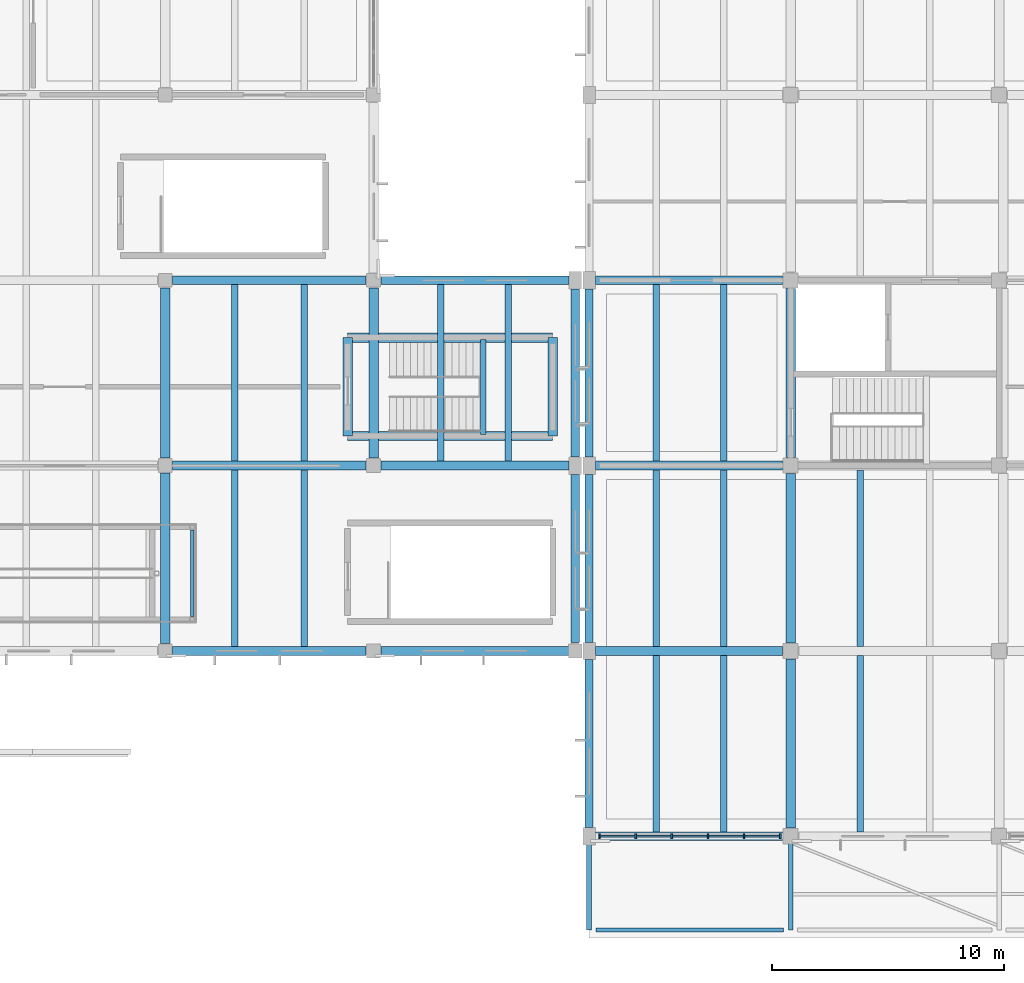
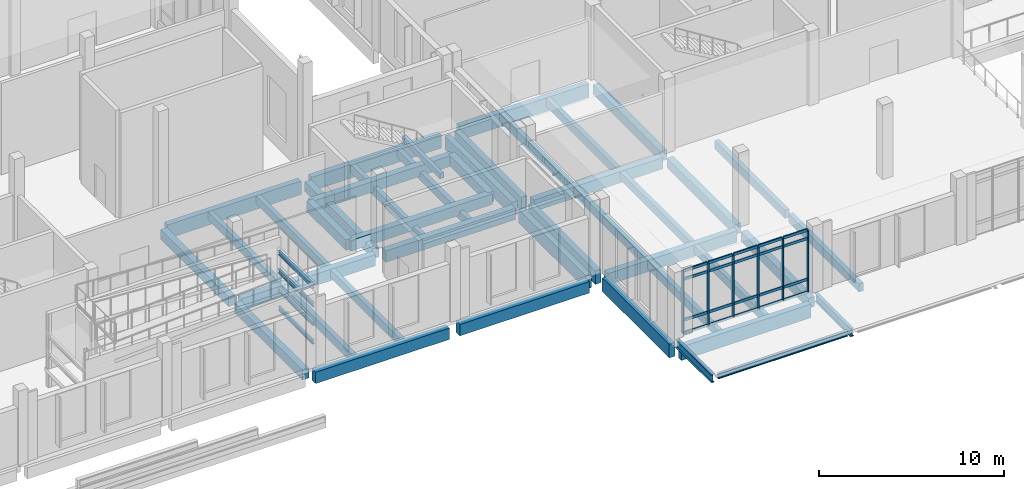
# One storey, part 28 of 110: 47 beams, 26 members, 1 element without a shape of its own.
"""IFC4 building model written with IfcOpenShell, lengths in metres."""

from ifc_helpers import new_model, si_unit, direction, frame, origin, origin_2d, place, context, subcontext, project, spatial, rectangle, i_section, extrude, material, layer, layer_set, material_profile, profile_set, type_object, element, aggregate, save


model = new_model("IFC4")

# Units and contexts
model_context = context("Model", 3, precision=1e-05, world=origin(), true_north=direction((0.0, 1.0)))
body_context = subcontext(model_context, "Body", "Model", "MODEL_VIEW")
ifc_project = project(units=[si_unit("LENGTHUNIT", "METRE"), si_unit("AREAUNIT", "SQUARE_METRE"), si_unit("VOLUMEUNIT", "CUBIC_METRE"), si_unit("PLANEANGLEUNIT", "RADIAN"), si_unit("MASSUNIT", "GRAM", prefix="KILO")], contexts=[model_context])

# Site, building, storey
site_placement = place(None, origin())
site = spatial("IfcSite", under=ifc_project, at=site_placement, CompositionType="ELEMENT")
building_placement = place(site_placement, origin())
building = spatial("IfcBuilding", under=site, at=building_placement, Name="Zacnel Wholesale Market", CompositionType="ELEMENT")
storey_placement = place(building_placement, frame((0.0, 0.0, 6.300048828125)))
storey = spatial("IfcBuildingStorey", under=building, at=storey_placement, Name="L02", CompositionType="ELEMENT", Elevation=6.300048828125)

# Beams
ifc_material_1 = material(Name="Precast concrete C45/55", Category="concrete")
ifc_material_profile_1 = material_profile(ifc_material_1, rectangle(XDim=0.280029296875, YDim=0.550048828125, at=origin_2d()), Name="DT RIB 280x550")
ifc_profile_set_1 = profile_set([ifc_material_profile_1], Name="Precast concrete C45/55")
beam_type_1 = type_object("IfcBeamType", Name="BM-DT550", PredefinedType="JOIST", material=ifc_profile_set_1)
for number, where, z_axis, x_axis, name in (
    (1, (147.199951171875, 0.175048828125, -0.574951171875), (0.0, 1.0, 0.0), (-1.0, 0.0, 0.0), "Precast secondary joist L02-0011"),
    (2, (150.10009765625, 0.175048828125, -0.574951171875), (0.0, 1.0, 0.0), (-1.0, 0.0, 0.0), "Precast secondary joist L02-0012"),
    (3, (156.0, 0.175048828125, -0.574951171875), (0.0, 1.0, 0.0), (-1.0, 0.0, 0.0), "Precast secondary joist L02-0013"),
):
    element("IfcBeam", number, at=place(storey_placement, frame(where, z_axis=z_axis, x_axis=x_axis)), inside=storey, type_object=beam_type_1, Name=name, PredefinedType="JOIST", context=body_context, shape_type="SweptSolid", body=[
        extrude(rectangle(XDim=0.280029296875, YDim=0.550048828125, at=origin_2d()), origin(), (0.0, 0.0, 1.0), 7.625),
    ])
for number, where, z_axis, x_axis, name in (
    (4, (129.0, 8.199951171875, -0.695068359375), (0.0, 1.0, 0.0), (-1.0, 0.0, 0.0), "Precast secondary joist L02-0037"),
    (5, (132.0, 8.199951171875, -0.695068359375), (0.0, 1.0, 0.0), (-1.0, 0.0, 0.0), "Precast secondary joist L02-0038"),
    (6, (147.199951171875, 8.199951171875, -0.574951171875), (0.0, 1.0, 0.0), (-1.0, 0.0, 0.0), "Precast secondary joist L02-0041"),
    (7, (150.10009765625, 8.199951171875, -0.574951171875), (0.0, 1.0, 0.0), (-1.0, 0.0, 0.0), "Precast secondary joist L02-0042"),
    (8, (156.0, 8.199951171875, -0.574951171875), (0.0, 1.0, 0.0), (-1.0, 0.0, 0.0), "Precast secondary joist L02-0043"),
):
    element("IfcBeam", number, at=place(storey_placement, frame(where, z_axis=z_axis, x_axis=x_axis)), inside=storey, type_object=beam_type_1, Name=name, PredefinedType="JOIST", context=body_context, shape_type="SweptSolid", body=[
        extrude(rectangle(XDim=0.280029296875, YDim=0.550048828125, at=origin_2d()), origin(), (0.0, 0.0, 1.0), 7.60009765625),
    ])
for number, where, z_axis, x_axis, name in (
    (9, (129.0, 16.199951171875, -0.695068359375), (0.0, 1.0, 0.0), (-1.0, 0.0, 0.0), "Precast secondary joist L02-0069"),
    (10, (132.0, 16.199951171875, -0.695068359375), (0.0, 1.0, 0.0), (-1.0, 0.0, 0.0), "Precast secondary joist L02-0070"),
    (11, (137.89990234375, 16.199951171875, -0.695068359375), (0.0, 1.0, 0.0), (-1.0, 0.0, 0.0), "Precast secondary joist L02-0071"),
    (12, (140.800048828125, 16.199951171875, -0.695068359375), (0.0, 1.0, 0.0), (-1.0, 0.0, 0.0), "Precast secondary joist L02-0072"),
    (13, (147.199951171875, 16.199951171875, -0.574951171875), (0.0, 1.0, 0.0), (-1.0, 0.0, 0.0), "Precast secondary joist L02-0073"),
    (14, (150.10009765625, 16.199951171875, -0.574951171875), (0.0, 1.0, 0.0), (-1.0, 0.0, 0.0), "Precast secondary joist L02-0074"),
):
    element("IfcBeam", number, at=place(storey_placement, frame(where, z_axis=z_axis, x_axis=x_axis)), inside=storey, type_object=beam_type_1, Name=name, PredefinedType="JOIST", context=body_context, shape_type="SweptSolid", body=[
        extrude(rectangle(XDim=0.280029296875, YDim=0.550048828125, at=origin_2d()), origin(), (0.0, 0.0, 1.0), 7.625),
    ])
ifc_material_2 = material(Name="Precast concrete C45/55", Category="concrete")
ifc_material_profile_2 = material_profile(ifc_material_2, rectangle(XDim=0.25, YDim=0.35009765625, at=origin_2d()), Name="LN 250x350")
ifc_profile_set_2 = profile_set([ifc_material_profile_2], Name="Precast concrete C45/55")
beam_type_2 = type_object("IfcBeamType", Name="BM-LN350", PredefinedType="LINTEL", material=ifc_profile_set_2)
beam_1_placement = place(storey_placement, frame((139.72998046875, 17.35009765625, 2.074951171875), z_axis=(0.0, 1.0, 0.0), x_axis=(-1.0, 0.0, 0.0)))
element("IfcBeam", 15, at=beam_1_placement, inside=storey, type_object=beam_type_2, Name="Stair ST-25 half-landing bearing beam", PredefinedType="LINTEL", context=body_context, shape_type="SweptSolid", body=[
    extrude(rectangle(XDim=0.25, YDim=0.35009765625, at=origin_2d()), origin(), (0.0, 0.0, 1.0), 4.099853515625),
])
ifc_material_3 = material(Name="Precast concrete C45/55", Category="concrete")
ifc_material_profile_3 = material_profile(ifc_material_3, rectangle(XDim=0.39990234375, YDim=0.64990234375, at=origin_2d()), Name="PG 400x650")
ifc_profile_set_3 = profile_set([ifc_material_profile_3], Name="Precast concrete C45/55")
beam_type_3 = type_object("IfcBeamType", Name="BM-PG650", PredefinedType="BEAM", material=ifc_profile_set_3)
for number, where, z_axis, x_axis, name in (
    (16, (126.0, 8.324951171875, -0.7451171875), (0.0, 1.0, 0.0), (-1.0, 0.0, 0.0), "Precast girder Y-0453"),
    (17, (126.0, 16.324951171875, -0.7451171875), (0.0, 1.0, 0.0), (-1.0, 0.0, 0.0), "Precast girder Y-0454"),
    (18, (135.0, 16.324951171875, -0.7451171875), (0.0, 1.0, 0.0), (-1.0, 0.0, 0.0), "Precast girder Y-0460"),
):
    element("IfcBeam", number, at=place(storey_placement, frame(where, z_axis=z_axis, x_axis=x_axis)), inside=storey, type_object=beam_type_3, Name=name, PredefinedType="BEAM", context=body_context, shape_type="SweptSolid", body=[
        extrude(rectangle(XDim=0.39990234375, YDim=0.64990234375, at=origin_2d()), origin(), (0.0, 0.0, 1.0), 7.35009765625),
    ])
for number, where, z_axis, x_axis, name in (
    (19, (153.0, 0.35009765625, -0.625), (0.0, 1.0, 0.0), (-1.0, 0.0, 0.0), "Precast girder Y-0481"),
    (20, (153.0, 8.35009765625, -0.625), (0.0, 1.0, 0.0), (-1.0, 0.0, 0.0), "Precast girder Y-0482"),
    (21, (153.0, 16.35009765625, -0.625), (0.0, 1.0, 0.0), (-1.0, 0.0, 0.0), "Precast girder Y-0483"),
):
    element("IfcBeam", number, at=place(storey_placement, frame(where, z_axis=z_axis, x_axis=x_axis)), inside=storey, type_object=beam_type_3, Name=name, PredefinedType="BEAM", context=body_context, shape_type="SweptSolid", body=[
        extrude(rectangle(XDim=0.39990234375, YDim=0.64990234375, at=origin_2d()), origin(), (0.0, 0.0, 1.0), 7.2998046875),
    ])
ifc_material_4 = material(Name="Precast concrete C45/55", Category="concrete")
ifc_material_profile_4 = material_profile(ifc_material_4, rectangle(XDim=0.39990234375, YDim=0.699951171875, at=origin_2d()), Name="PG 400x700")
ifc_profile_set_4 = profile_set([ifc_material_profile_4], Name="Precast concrete C45/55")
beam_type_4 = type_object("IfcBeamType", Name="BM-PG700", PredefinedType="BEAM", material=ifc_profile_set_4)
for number, where, z_axis, x_axis, name in (
    (22, (133.875, 17.27490234375, -0.35009765625), (1.0, 0.0, 0.0), (0.0, 1.0, 0.0), "Stair ST-25 shaft transfer beam S"),
    (23, (133.875, 21.52490234375, -0.35009765625), (1.0, 0.0, 0.0), (0.0, 1.0, 0.0), "Stair ST-25 shaft transfer beam N"),
):
    element("IfcBeam", number, at=place(storey_placement, frame(where, z_axis=z_axis, x_axis=x_axis)), inside=storey, type_object=beam_type_4, Name=name, PredefinedType="BEAM", context=body_context, shape_type="SweptSolid", body=[
        extrude(rectangle(XDim=0.39990234375, YDim=0.699951171875, at=origin_2d()), origin(), (0.0, 0.0, 1.0), 8.85009765625),
    ])
for number, where, z_axis, x_axis, name in (
    (24, (133.875, 17.27490234375, -0.35009765625), (0.0, 1.0, 0.0), (-1.0, 0.0, 0.0), "Stair ST-25 shaft transfer beam W"),
    (25, (142.72509765625, 17.27490234375, -0.35009765625), (0.0, 1.0, 0.0), (-1.0, 0.0, 0.0), "Stair ST-25 shaft transfer beam E"),
):
    element("IfcBeam", number, at=place(storey_placement, frame(where, z_axis=z_axis, x_axis=x_axis)), inside=storey, type_object=beam_type_4, Name=name, PredefinedType="BEAM", context=body_context, shape_type="SweptSolid", body=[
        extrude(rectangle(XDim=0.39990234375, YDim=0.699951171875, at=origin_2d()), origin(), (0.0, 0.0, 1.0), 4.25),
    ])
ifc_material_5 = material(Name="Precast concrete C45/55", Category="concrete")
ifc_material_profile_5 = material_profile(ifc_material_5, rectangle(XDim=0.39990234375, YDim=0.75, at=origin_2d()), Name="PG 400x750")
ifc_profile_set_5 = profile_set([ifc_material_profile_5], Name="Precast concrete C45/55")
beam_type_5 = type_object("IfcBeamType", Name="BM-PG750", PredefinedType="BEAM", material=ifc_profile_set_5)
beam_2_placement = place(storey_placement, frame((126.324951171875, 8.0, -0.795166015625), z_axis=(1.0, 0.0, 0.0), x_axis=(0.0, 1.0, 0.0)))
element("IfcBeam", 26, at=beam_2_placement, inside=storey, type_object=beam_type_5, Name="Precast girder X-0022", PredefinedType="BEAM", context=body_context, shape_type="SweptSolid", body=[
    extrude(rectangle(XDim=0.39990234375, YDim=0.75, at=origin_2d()), origin(), (0.0, 0.0, 1.0), 8.35009765625),
])
beam_3_placement = place(storey_placement, frame((135.324951171875, 8.0, -0.795166015625), z_axis=(1.0, 0.0, 0.0), x_axis=(0.0, 1.0, 0.0)))
element("IfcBeam", 27, at=beam_3_placement, inside=storey, type_object=beam_type_5, Name="Precast girder X-0023", PredefinedType="BEAM", context=body_context, shape_type="SweptSolid", body=[
    extrude(rectangle(XDim=0.39990234375, YDim=0.75, at=origin_2d()), origin(), (0.0, 0.0, 1.0), 8.10009765625),
])
beam_4_placement = place(storey_placement, frame((144.574951171875, 8.0, -0.675048828125), z_axis=(1.0, 0.0, 0.0), x_axis=(0.0, 1.0, 0.0)))
element("IfcBeam", 28, at=beam_4_placement, inside=storey, type_object=beam_type_5, Name="Precast girder X-0024", PredefinedType="BEAM", context=body_context, shape_type="SweptSolid", body=[
    extrude(rectangle(XDim=0.39990234375, YDim=0.75, at=origin_2d()), origin(), (0.0, 0.0, 1.0), 8.074951171875),
])
beam_5_placement = place(storey_placement, frame((126.324951171875, 16.0, -0.795166015625), z_axis=(1.0, 0.0, 0.0), x_axis=(0.0, 1.0, 0.0)))
element("IfcBeam", 29, at=beam_5_placement, inside=storey, type_object=beam_type_5, Name="Precast girder X-0039", PredefinedType="BEAM", context=body_context, shape_type="SweptSolid", body=[
    extrude(rectangle(XDim=0.39990234375, YDim=0.75, at=origin_2d()), origin(), (0.0, 0.0, 1.0), 8.35009765625),
])
beam_6_placement = place(storey_placement, frame((135.324951171875, 16.0, -0.795166015625), z_axis=(1.0, 0.0, 0.0), x_axis=(0.0, 1.0, 0.0)))
element("IfcBeam", 30, at=beam_6_placement, inside=storey, type_object=beam_type_5, Name="Precast girder X-0040", PredefinedType="BEAM", context=body_context, shape_type="SweptSolid", body=[
    extrude(rectangle(XDim=0.39990234375, YDim=0.75, at=origin_2d()), origin(), (0.0, 0.0, 1.0), 8.10009765625),
])
beam_7_placement = place(storey_placement, frame((144.574951171875, 16.0, -0.675048828125), z_axis=(1.0, 0.0, 0.0), x_axis=(0.0, 1.0, 0.0)))
element("IfcBeam", 31, at=beam_7_placement, inside=storey, type_object=beam_type_5, Name="Precast girder X-0041", PredefinedType="BEAM", context=body_context, shape_type="SweptSolid", body=[
    extrude(rectangle(XDim=0.39990234375, YDim=0.75, at=origin_2d()), origin(), (0.0, 0.0, 1.0), 8.074951171875),
])
ifc_material_6 = material(Name="Precast concrete C45/55", Category="concrete")
ifc_material_profile_6 = material_profile(ifc_material_6, rectangle(XDim=0.35009765625, YDim=0.89990234375, at=origin_2d()), Name="SP 350x900")
ifc_profile_set_6 = profile_set([ifc_material_profile_6], Name="Precast concrete C45/55")
beam_type_6 = type_object("IfcBeamType", Name="BM-SP900", PredefinedType="SPANDREL", material=ifc_profile_set_6)
beam_8_placement = place(storey_placement, frame((144.574951171875, 0.0, -0.75), z_axis=(1.0, 0.0, 0.0), x_axis=(0.0, 1.0, 0.0)))
element("IfcBeam", 32, at=beam_8_placement, inside=storey, type_object=beam_type_6, Name="Precast girder X-0006", PredefinedType="SPANDREL", context=body_context, shape_type="SweptSolid", body=[
    extrude(rectangle(XDim=0.35009765625, YDim=0.89990234375, at=origin_2d()), origin(), (0.0, 0.0, 1.0), 8.074951171875),
])
beam_9_placement = place(storey_placement, frame((126.324951171875, 24.0, -0.8701171875), z_axis=(1.0, 0.0, 0.0), x_axis=(0.0, 1.0, 0.0)))
element("IfcBeam", 33, at=beam_9_placement, inside=storey, type_object=beam_type_6, Name="Precast girder X-0063", PredefinedType="SPANDREL", context=body_context, shape_type="SweptSolid", body=[
    extrude(rectangle(XDim=0.35009765625, YDim=0.89990234375, at=origin_2d()), origin(), (0.0, 0.0, 1.0), 8.35009765625),
])
beam_10_placement = place(storey_placement, frame((135.324951171875, 24.0, -0.8701171875), z_axis=(1.0, 0.0, 0.0), x_axis=(0.0, 1.0, 0.0)))
element("IfcBeam", 34, at=beam_10_placement, inside=storey, type_object=beam_type_6, Name="Precast girder X-0064", PredefinedType="SPANDREL", context=body_context, shape_type="SweptSolid", body=[
    extrude(rectangle(XDim=0.35009765625, YDim=0.89990234375, at=origin_2d()), origin(), (0.0, 0.0, 1.0), 8.10009765625),
])
beam_11_placement = place(storey_placement, frame((144.574951171875, 24.0, -0.75), z_axis=(1.0, 0.0, 0.0), x_axis=(0.0, 1.0, 0.0)))
element("IfcBeam", 35, at=beam_11_placement, inside=storey, type_object=beam_type_6, Name="Precast girder X-0065", PredefinedType="SPANDREL", context=body_context, shape_type="SweptSolid", body=[
    extrude(rectangle(XDim=0.35009765625, YDim=0.89990234375, at=origin_2d()), origin(), (0.0, 0.0, 1.0), 8.074951171875),
])
for number, where, z_axis, x_axis, name in (
    (36, (143.699951171875, 8.375, -0.8701171875), (0.0, 1.0, 0.0), (-1.0, 0.0, 0.0), "Precast girder Y-0466"),
    (37, (143.699951171875, 16.375, -0.8701171875), (0.0, 1.0, 0.0), (-1.0, 0.0, 0.0), "Precast girder Y-0467"),
    (38, (144.300048828125, 0.375, -0.75), (0.0, 1.0, 0.0), (-1.0, 0.0, 0.0), "Precast girder Y-0469"),
    (39, (144.300048828125, 8.375, -0.75), (0.0, 1.0, 0.0), (-1.0, 0.0, 0.0), "Precast girder Y-0470"),
    (40, (144.300048828125, 16.375, -0.75), (0.0, 1.0, 0.0), (-1.0, 0.0, 0.0), "Precast girder Y-0471"),
):
    element("IfcBeam", number, at=place(storey_placement, frame(where, z_axis=z_axis, x_axis=x_axis)), inside=storey, type_object=beam_type_6, Name=name, PredefinedType="SPANDREL", context=body_context, shape_type="SweptSolid", body=[
        extrude(rectangle(XDim=0.35009765625, YDim=0.89990234375, at=origin_2d()), origin(), (0.0, 0.0, 1.0), 7.25),
    ])
ifc_material_7 = material(Name="Steel S355", Category="steel")
ifc_material_profile_7 = material_profile(ifc_material_7, i_section(OverallWidth=0.14599609375, OverallDepth=0.258056640625, WebThickness=0.006103515625, FlangeThickness=0.009033203125, FilletRadius=0.009033203125, at=origin_2d()), Name="W250X32.7")
ifc_profile_set_7 = profile_set([ifc_material_profile_7], Name="Steel S355")
beam_type_7 = type_object("IfcBeamType", Name="BM-STL-W250", PredefinedType="JOIST", material=ifc_profile_set_7)
for number, where, z_axis, x_axis, name in (
    (41, (127.160888671875, 9.47998046875, 0.267333984375), (0.0, 1.0, 0.0), (-1.0, 0.0, 0.0), "Accessible ramp RP-04 (RMP-PROM-2) landing edge beam 1"),
    (42, (127.160888671875, 9.47998046875, 1.492431640625), (0.0, 1.0, 0.0), (-1.0, 0.0, 0.0), "Accessible ramp RP-04 (RMP-PROM-2) landing edge beam 3"),
    (43, (127.160888671875, 9.47998046875, 2.717529296875), (0.0, 1.0, 0.0), (-1.0, 0.0, 0.0), "Accessible ramp RP-04 (RMP-PROM-2) landing edge beam 5"),
    (44, (127.160888671875, 9.47998046875, 3.9423828125), (0.0, 1.0, 0.0), (-1.0, 0.0, 0.0), "Accessible ramp RP-04 (RMP-PROM-2) landing edge beam 7"),
):
    element("IfcBeam", number, at=place(storey_placement, frame(where, z_axis=z_axis, x_axis=x_axis)), inside=storey, type_object=beam_type_7, Name=name, PredefinedType="JOIST", context=body_context, shape_type="SweptSolid", body=[
        extrude(i_section(OverallWidth=0.14599609375, OverallDepth=0.258056640625, WebThickness=0.006103515625, FlangeThickness=0.009033203125, FilletRadius=0.009033203125, at=origin_2d()), origin(), (0.0, 0.0, 1.0), 3.739990234375),
    ])
ifc_material_8 = material(Name="Steel S355", Category="steel")
ifc_material_profile_8 = material_profile(ifc_material_8, i_section(OverallWidth=0.172119140625, OverallDepth=0.35791015625, WebThickness=0.0078125, FlangeThickness=0.01318359375, FilletRadius=0.010986328125, at=origin_2d()), Name="W360X57.8")
ifc_profile_set_8 = profile_set([ifc_material_profile_8], Name="Steel S355")
beam_type_8 = type_object("IfcBeamType", Name="BM-STL-W360", PredefinedType="BEAM", material=ifc_profile_set_8)
beam_12_placement = place(storey_placement, frame((144.60009765625, -4.050048828125, 0.14501953125), z_axis=(1.0, 0.0, 0.0), x_axis=(0.0, 1.0, 0.0)))
element("IfcBeam", 45, at=beam_12_placement, inside=storey, type_object=beam_type_8, Name="Boulevard canopy end fascia 01", PredefinedType="BEAM", context=body_context, shape_type="SweptSolid", body=[
    extrude(i_section(OverallWidth=0.172119140625, OverallDepth=0.35791015625, WebThickness=0.0078125, FlangeThickness=0.01318359375, FilletRadius=0.010986328125, at=origin_2d()), origin(), (0.0, 0.0, 1.0), 8.099853515625),
])
ifc_material_9 = material(Name="Steel S355", Category="steel")
ifc_material_profile_9 = material_profile(ifc_material_9, i_section(OverallWidth=0.208984375, OverallDepth=0.532958984375, WebThickness=0.01025390625, FlangeThickness=0.015625, FilletRadius=0.013916015625, at=origin_2d()), Name="W530X92")
ifc_profile_set_9 = profile_set([ifc_material_profile_9], Name="Steel S355")
beam_type_9 = type_object("IfcBeamType", Name="BM-STL-W530", PredefinedType="BEAM", material=ifc_profile_set_9)
for number, where, z_axis, x_axis, name in (
    (46, (153.0, -0.14990234375, 0.057373046875), (0.0, -1.0, 0.0), (1.0, 0.0, 0.0), "Boulevard canopy steel girder 01"),
    (47, (144.300048828125, -0.14990234375, 0.057373046875), (0.0, -1.0, 0.0), (1.0, 0.0, 0.0), "Boulevard canopy end girder 01"),
):
    element("IfcBeam", number, at=place(storey_placement, frame(where, z_axis=z_axis, x_axis=x_axis)), inside=storey, type_object=beam_type_9, Name=name, PredefinedType="BEAM", context=body_context, shape_type="SweptSolid", body=[
        extrude(i_section(OverallWidth=0.208984375, OverallDepth=0.532958984375, WebThickness=0.01025390625, FlangeThickness=0.015625, FilletRadius=0.013916015625, at=origin_2d()), origin(), (0.0, 0.0, 1.0), 3.900146484375),
    ])

# Curtain wall, members
ifc_material_10 = material(Name="Anodised aluminium", Category="aluminium")
ifc_layer = layer(ifc_material_10, 0.179931640625)
ifc_layer_set = layer_set([ifc_layer], Name="Anodised aluminium")
curtain_wall_type = type_object("IfcCurtainWallType", Name="CW-BLVD-5400", PredefinedType="NOTDEFINED", material=ifc_layer_set)
curtain_wall_placement = place(storey_placement, origin())
curtain_wall = element("IfcCurtainWall", 48, at=curtain_wall_placement, inside=storey, type_object=curtain_wall_type, Name="Curtain wall ENV-R2-CW-L02-016", PredefinedType="NOTDEFINED")
ifc_material_11 = material(Name="Anodised aluminium", Category="aluminium")
ifc_material_profile_10 = material_profile(ifc_material_11, rectangle(XDim=0.074951171875, YDim=0.219970703125, at=origin_2d()), Name="AW-MULLION 75x220")
ifc_profile_set_10 = profile_set([ifc_material_profile_10], Name="Anodised aluminium")
member_type_1 = type_object("IfcMemberType", Name="CWM-MUL-01", PredefinedType="MULLION", material=ifc_profile_set_10)
member_1_placement = place(storey_placement, frame((144.75, 0.0, 0.449951171875), z_axis=(0.0, 0.0, 1.0), x_axis=(1.0, 0.0, 0.0)))
member_1 = element("IfcMember", 49, at=member_1_placement, type_object=member_type_1, Name="ENV-R2-CW-L02-016 mullion 01", PredefinedType="MULLION", context=body_context, shape_type="SweptSolid", body=[
    extrude(rectangle(XDim=0.074951171875, YDim=0.219970703125, at=origin_2d()), origin(), (0.0, 0.0, 1.0), 4.10009765625),
])
member_2_placement = place(storey_placement, frame((146.31005859375, 0.0, 0.449951171875), z_axis=(0.0, 0.0, 1.0), x_axis=(1.0, 0.0, 0.0)))
member_2 = element("IfcMember", 50, at=member_2_placement, type_object=member_type_1, Name="ENV-R2-CW-L02-016 mullion 02", PredefinedType="MULLION", context=body_context, shape_type="SweptSolid", body=[
    extrude(rectangle(XDim=0.074951171875, YDim=0.219970703125, at=origin_2d()), origin(), (0.0, 0.0, 1.0), 4.10009765625),
])
member_3_placement = place(storey_placement, frame((147.8701171875, 0.0, 0.449951171875), z_axis=(0.0, 0.0, 1.0), x_axis=(1.0, 0.0, 0.0)))
member_3 = element("IfcMember", 51, at=member_3_placement, type_object=member_type_1, Name="ENV-R2-CW-L02-016 mullion 03", PredefinedType="MULLION", context=body_context, shape_type="SweptSolid", body=[
    extrude(rectangle(XDim=0.074951171875, YDim=0.219970703125, at=origin_2d()), origin(), (0.0, 0.0, 1.0), 4.10009765625),
])
member_4_placement = place(storey_placement, frame((149.429931640625, 0.0, 0.449951171875), z_axis=(0.0, 0.0, 1.0), x_axis=(1.0, 0.0, 0.0)))
member_4 = element("IfcMember", 52, at=member_4_placement, type_object=member_type_1, Name="ENV-R2-CW-L02-016 mullion 04", PredefinedType="MULLION", context=body_context, shape_type="SweptSolid", body=[
    extrude(rectangle(XDim=0.074951171875, YDim=0.219970703125, at=origin_2d()), origin(), (0.0, 0.0, 1.0), 4.10009765625),
])
member_5_placement = place(storey_placement, frame((150.989990234375, 0.0, 0.449951171875), z_axis=(0.0, 0.0, 1.0), x_axis=(1.0, 0.0, 0.0)))
member_5 = element("IfcMember", 53, at=member_5_placement, type_object=member_type_1, Name="ENV-R2-CW-L02-016 mullion 05", PredefinedType="MULLION", context=body_context, shape_type="SweptSolid", body=[
    extrude(rectangle(XDim=0.074951171875, YDim=0.219970703125, at=origin_2d()), origin(), (0.0, 0.0, 1.0), 4.10009765625),
])
member_6_placement = place(storey_placement, frame((152.550048828125, 0.0, 0.449951171875), z_axis=(0.0, 0.0, 1.0), x_axis=(1.0, 0.0, 0.0)))
member_6 = element("IfcMember", 54, at=member_6_placement, type_object=member_type_1, Name="ENV-R2-CW-L02-016 mullion 06", PredefinedType="MULLION", context=body_context, shape_type="SweptSolid", body=[
    extrude(rectangle(XDim=0.074951171875, YDim=0.219970703125, at=origin_2d()), origin(), (0.0, 0.0, 1.0), 4.10009765625),
])
ifc_material_12 = material(Name="Anodised aluminium", Category="aluminium")
ifc_material_profile_11 = material_profile(ifc_material_12, rectangle(XDim=0.074951171875, YDim=0.179931640625, at=origin_2d()), Name="AW-TRANSOM 75x180")
ifc_profile_set_11 = profile_set([ifc_material_profile_11], Name="Anodised aluminium")
member_type_2 = type_object("IfcMemberType", Name="CWM-TRN-01", PredefinedType="USERDEFINED", material=ifc_profile_set_11)
member_7_placement = place(storey_placement, frame((144.784912109375, 0.0, 0.449951171875), z_axis=(1.0, 0.0, 0.0), x_axis=(0.0, 1.0, 0.0)))
member_7 = element("IfcMember", 55, at=member_7_placement, type_object=member_type_2, Name="ENV-R2-CW-L02-016 transom 1-1", ObjectType="TRANSOM", PredefinedType="USERDEFINED", context=body_context, shape_type="SweptSolid", body=[
    extrude(rectangle(XDim=0.074951171875, YDim=0.179931640625, at=origin_2d()), origin(), (0.0, 0.0, 1.0), 1.489990234375),
])
member_8_placement = place(storey_placement, frame((144.784912109375, 0.0, 1.300048828125), z_axis=(1.0, 0.0, 0.0), x_axis=(0.0, 1.0, 0.0)))
member_8 = element("IfcMember", 56, at=member_8_placement, type_object=member_type_2, Name="ENV-R2-CW-L02-016 transom 1-2", ObjectType="TRANSOM", PredefinedType="USERDEFINED", context=body_context, shape_type="SweptSolid", body=[
    extrude(rectangle(XDim=0.074951171875, YDim=0.179931640625, at=origin_2d()), origin(), (0.0, 0.0, 1.0), 1.489990234375),
])
member_9_placement = place(storey_placement, frame((144.784912109375, 0.0, 4.0), z_axis=(1.0, 0.0, 0.0), x_axis=(0.0, 1.0, 0.0)))
member_9 = element("IfcMember", 57, at=member_9_placement, type_object=member_type_2, Name="ENV-R2-CW-L02-016 transom 1-3", ObjectType="TRANSOM", PredefinedType="USERDEFINED", context=body_context, shape_type="SweptSolid", body=[
    extrude(rectangle(XDim=0.074951171875, YDim=0.179931640625, at=origin_2d()), origin(), (0.0, 0.0, 1.0), 1.489990234375),
])
member_10_placement = place(storey_placement, frame((144.784912109375, 0.0, 4.550048828125), z_axis=(1.0, 0.0, 0.0), x_axis=(0.0, 1.0, 0.0)))
member_10 = element("IfcMember", 58, at=member_10_placement, type_object=member_type_2, Name="ENV-R2-CW-L02-016 transom 1-4", ObjectType="TRANSOM", PredefinedType="USERDEFINED", context=body_context, shape_type="SweptSolid", body=[
    extrude(rectangle(XDim=0.074951171875, YDim=0.179931640625, at=origin_2d()), origin(), (0.0, 0.0, 1.0), 1.489990234375),
])
member_11_placement = place(storey_placement, frame((146.344970703125, 0.0, 0.449951171875), z_axis=(1.0, 0.0, 0.0), x_axis=(0.0, 1.0, 0.0)))
member_11 = element("IfcMember", 59, at=member_11_placement, type_object=member_type_2, Name="ENV-R2-CW-L02-016 transom 2-1", ObjectType="TRANSOM", PredefinedType="USERDEFINED", context=body_context, shape_type="SweptSolid", body=[
    extrude(rectangle(XDim=0.074951171875, YDim=0.179931640625, at=origin_2d()), origin(), (0.0, 0.0, 1.0), 1.489990234375),
])
member_12_placement = place(storey_placement, frame((146.344970703125, 0.0, 1.300048828125), z_axis=(1.0, 0.0, 0.0), x_axis=(0.0, 1.0, 0.0)))
member_12 = element("IfcMember", 60, at=member_12_placement, type_object=member_type_2, Name="ENV-R2-CW-L02-016 transom 2-2", ObjectType="TRANSOM", PredefinedType="USERDEFINED", context=body_context, shape_type="SweptSolid", body=[
    extrude(rectangle(XDim=0.074951171875, YDim=0.179931640625, at=origin_2d()), origin(), (0.0, 0.0, 1.0), 1.489990234375),
])
member_13_placement = place(storey_placement, frame((146.344970703125, 0.0, 4.0), z_axis=(1.0, 0.0, 0.0), x_axis=(0.0, 1.0, 0.0)))
member_13 = element("IfcMember", 61, at=member_13_placement, type_object=member_type_2, Name="ENV-R2-CW-L02-016 transom 2-3", ObjectType="TRANSOM", PredefinedType="USERDEFINED", context=body_context, shape_type="SweptSolid", body=[
    extrude(rectangle(XDim=0.074951171875, YDim=0.179931640625, at=origin_2d()), origin(), (0.0, 0.0, 1.0), 1.489990234375),
])
member_14_placement = place(storey_placement, frame((146.344970703125, 0.0, 4.550048828125), z_axis=(1.0, 0.0, 0.0), x_axis=(0.0, 1.0, 0.0)))
member_14 = element("IfcMember", 62, at=member_14_placement, type_object=member_type_2, Name="ENV-R2-CW-L02-016 transom 2-4", ObjectType="TRANSOM", PredefinedType="USERDEFINED", context=body_context, shape_type="SweptSolid", body=[
    extrude(rectangle(XDim=0.074951171875, YDim=0.179931640625, at=origin_2d()), origin(), (0.0, 0.0, 1.0), 1.489990234375),
])
member_15_placement = place(storey_placement, frame((147.905029296875, 0.0, 0.449951171875), z_axis=(1.0, 0.0, 0.0), x_axis=(0.0, 1.0, 0.0)))
member_15 = element("IfcMember", 63, at=member_15_placement, type_object=member_type_2, Name="ENV-R2-CW-L02-016 transom 3-1", ObjectType="TRANSOM", PredefinedType="USERDEFINED", context=body_context, shape_type="SweptSolid", body=[
    extrude(rectangle(XDim=0.074951171875, YDim=0.179931640625, at=origin_2d()), origin(), (0.0, 0.0, 1.0), 1.489990234375),
])
member_16_placement = place(storey_placement, frame((147.905029296875, 0.0, 1.300048828125), z_axis=(1.0, 0.0, 0.0), x_axis=(0.0, 1.0, 0.0)))
member_16 = element("IfcMember", 64, at=member_16_placement, type_object=member_type_2, Name="ENV-R2-CW-L02-016 transom 3-2", ObjectType="TRANSOM", PredefinedType="USERDEFINED", context=body_context, shape_type="SweptSolid", body=[
    extrude(rectangle(XDim=0.074951171875, YDim=0.179931640625, at=origin_2d()), origin(), (0.0, 0.0, 1.0), 1.489990234375),
])
member_17_placement = place(storey_placement, frame((147.905029296875, 0.0, 4.0), z_axis=(1.0, 0.0, 0.0), x_axis=(0.0, 1.0, 0.0)))
member_17 = element("IfcMember", 65, at=member_17_placement, type_object=member_type_2, Name="ENV-R2-CW-L02-016 transom 3-3", ObjectType="TRANSOM", PredefinedType="USERDEFINED", context=body_context, shape_type="SweptSolid", body=[
    extrude(rectangle(XDim=0.074951171875, YDim=0.179931640625, at=origin_2d()), origin(), (0.0, 0.0, 1.0), 1.489990234375),
])
member_18_placement = place(storey_placement, frame((147.905029296875, 0.0, 4.550048828125), z_axis=(1.0, 0.0, 0.0), x_axis=(0.0, 1.0, 0.0)))
member_18 = element("IfcMember", 66, at=member_18_placement, type_object=member_type_2, Name="ENV-R2-CW-L02-016 transom 3-4", ObjectType="TRANSOM", PredefinedType="USERDEFINED", context=body_context, shape_type="SweptSolid", body=[
    extrude(rectangle(XDim=0.074951171875, YDim=0.179931640625, at=origin_2d()), origin(), (0.0, 0.0, 1.0), 1.489990234375),
])
member_19_placement = place(storey_placement, frame((149.465087890625, 0.0, 0.449951171875), z_axis=(1.0, 0.0, 0.0), x_axis=(0.0, 1.0, 0.0)))
member_19 = element("IfcMember", 67, at=member_19_placement, type_object=member_type_2, Name="ENV-R2-CW-L02-016 transom 4-1", ObjectType="TRANSOM", PredefinedType="USERDEFINED", context=body_context, shape_type="SweptSolid", body=[
    extrude(rectangle(XDim=0.074951171875, YDim=0.179931640625, at=origin_2d()), origin(), (0.0, 0.0, 1.0), 1.489990234375),
])
member_20_placement = place(storey_placement, frame((149.465087890625, 0.0, 1.300048828125), z_axis=(1.0, 0.0, 0.0), x_axis=(0.0, 1.0, 0.0)))
member_20 = element("IfcMember", 68, at=member_20_placement, type_object=member_type_2, Name="ENV-R2-CW-L02-016 transom 4-2", ObjectType="TRANSOM", PredefinedType="USERDEFINED", context=body_context, shape_type="SweptSolid", body=[
    extrude(rectangle(XDim=0.074951171875, YDim=0.179931640625, at=origin_2d()), origin(), (0.0, 0.0, 1.0), 1.489990234375),
])
member_21_placement = place(storey_placement, frame((149.465087890625, 0.0, 4.0), z_axis=(1.0, 0.0, 0.0), x_axis=(0.0, 1.0, 0.0)))
member_21 = element("IfcMember", 69, at=member_21_placement, type_object=member_type_2, Name="ENV-R2-CW-L02-016 transom 4-3", ObjectType="TRANSOM", PredefinedType="USERDEFINED", context=body_context, shape_type="SweptSolid", body=[
    extrude(rectangle(XDim=0.074951171875, YDim=0.179931640625, at=origin_2d()), origin(), (0.0, 0.0, 1.0), 1.489990234375),
])
member_22_placement = place(storey_placement, frame((149.465087890625, 0.0, 4.550048828125), z_axis=(1.0, 0.0, 0.0), x_axis=(0.0, 1.0, 0.0)))
member_22 = element("IfcMember", 70, at=member_22_placement, type_object=member_type_2, Name="ENV-R2-CW-L02-016 transom 4-4", ObjectType="TRANSOM", PredefinedType="USERDEFINED", context=body_context, shape_type="SweptSolid", body=[
    extrude(rectangle(XDim=0.074951171875, YDim=0.179931640625, at=origin_2d()), origin(), (0.0, 0.0, 1.0), 1.489990234375),
])
member_23_placement = place(storey_placement, frame((151.02490234375, 0.0, 0.449951171875), z_axis=(1.0, 0.0, 0.0), x_axis=(0.0, 1.0, 0.0)))
member_23 = element("IfcMember", 71, at=member_23_placement, type_object=member_type_2, Name="ENV-R2-CW-L02-016 transom 5-1", ObjectType="TRANSOM", PredefinedType="USERDEFINED", context=body_context, shape_type="SweptSolid", body=[
    extrude(rectangle(XDim=0.074951171875, YDim=0.179931640625, at=origin_2d()), origin(), (0.0, 0.0, 1.0), 1.489990234375),
])
member_24_placement = place(storey_placement, frame((151.02490234375, 0.0, 1.300048828125), z_axis=(1.0, 0.0, 0.0), x_axis=(0.0, 1.0, 0.0)))
member_24 = element("IfcMember", 72, at=member_24_placement, type_object=member_type_2, Name="ENV-R2-CW-L02-016 transom 5-2", ObjectType="TRANSOM", PredefinedType="USERDEFINED", context=body_context, shape_type="SweptSolid", body=[
    extrude(rectangle(XDim=0.074951171875, YDim=0.179931640625, at=origin_2d()), origin(), (0.0, 0.0, 1.0), 1.489990234375),
])
member_25_placement = place(storey_placement, frame((151.02490234375, 0.0, 4.0), z_axis=(1.0, 0.0, 0.0), x_axis=(0.0, 1.0, 0.0)))
member_25 = element("IfcMember", 73, at=member_25_placement, type_object=member_type_2, Name="ENV-R2-CW-L02-016 transom 5-3", ObjectType="TRANSOM", PredefinedType="USERDEFINED", context=body_context, shape_type="SweptSolid", body=[
    extrude(rectangle(XDim=0.074951171875, YDim=0.179931640625, at=origin_2d()), origin(), (0.0, 0.0, 1.0), 1.489990234375),
])
member_26_placement = place(storey_placement, frame((151.02490234375, 0.0, 4.550048828125), z_axis=(1.0, 0.0, 0.0), x_axis=(0.0, 1.0, 0.0)))
member_26 = element("IfcMember", 74, at=member_26_placement, type_object=member_type_2, Name="ENV-R2-CW-L02-016 transom 5-4", ObjectType="TRANSOM", PredefinedType="USERDEFINED", context=body_context, shape_type="SweptSolid", body=[
    extrude(rectangle(XDim=0.074951171875, YDim=0.179931640625, at=origin_2d()), origin(), (0.0, 0.0, 1.0), 1.489990234375),
])
aggregate(curtain_wall, [member_1, member_2, member_3, member_4, member_5, member_6, member_7, member_8, member_9, member_10, member_11, member_12, member_13, member_14, member_15, member_16, member_17, member_18, member_19, member_20, member_21, member_22, member_23, member_24, member_25, member_26])

save(model, "model.ifc")
